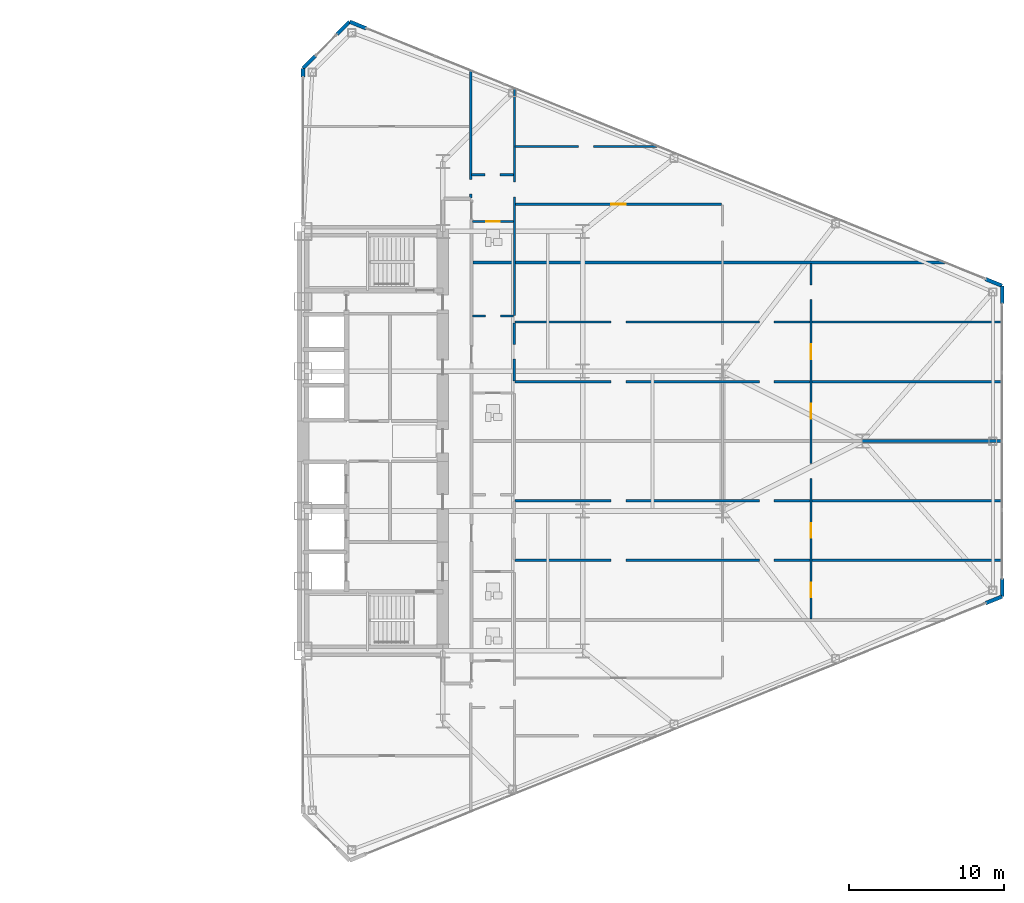
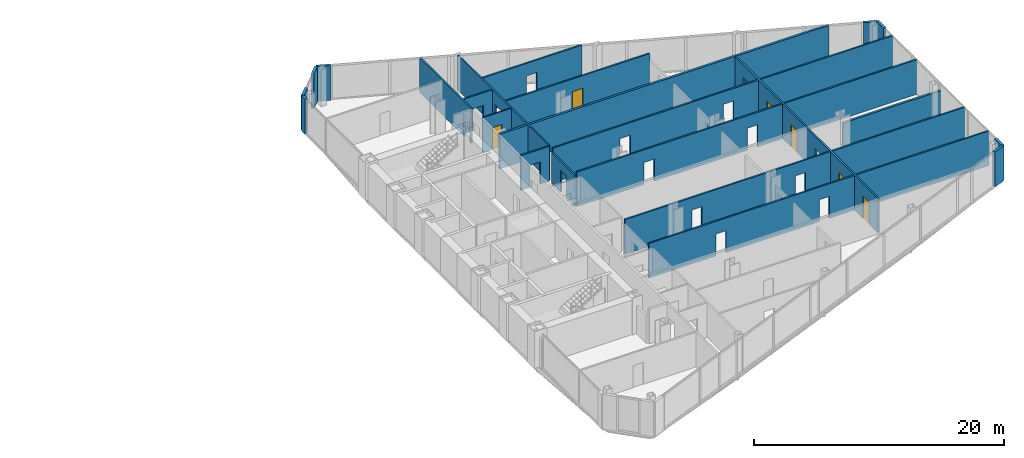
# One storey, part 22 of 25: 23 walls, 6 doors, 22 openings.
"""IFC4 building model written with IfcOpenShell, lengths in metres."""

from ifc_helpers import new_model, si_unit, direction, frame, frame_2d, origin, place, context, subcontext, project, spatial, rectangle, extrude, source, transform, mapped, material, layer, layer_set, type_object, type_shapes, element, fill, save


model = new_model("IFC4")

# Units and contexts
model_context = context("Model", 3, precision=1e-05, world=origin(), true_north=direction((0.0, 1.0)))
body_context = subcontext(model_context, "Body", "Model", "MODEL_VIEW")
ifc_project = project(units=[si_unit("LENGTHUNIT", "METRE"), si_unit("AREAUNIT", "SQUARE_METRE"), si_unit("VOLUMEUNIT", "CUBIC_METRE"), si_unit("PLANEANGLEUNIT", "RADIAN"), si_unit("MASSUNIT", "GRAM", prefix="KILO")], contexts=[model_context])

# Site, building, storey
site_placement = place(None, origin())
site = spatial("IfcSite", under=ifc_project, at=site_placement, CompositionType="ELEMENT")
building_placement = place(site_placement, origin())
building = spatial("IfcBuilding", under=site, at=building_placement, Name="Seokmaru Belvedere", CompositionType="ELEMENT")
storey_placement = place(building_placement, frame((0.0, 0.0, 40.5)))
storey = spatial("IfcBuildingStorey", under=building, at=storey_placement, Name="L10", CompositionType="ELEMENT", Elevation=40.5)

# Wall, openings
ifc_material_1 = material(Name="Fire-Rated Gypsum Shaftwall")
ifc_layer_1 = layer(ifc_material_1, 0.14990234375)
ifc_layer_set_1 = layer_set([ifc_layer_1], Name="Fire-Rated Gypsum Shaftwall")
wall_type_1 = type_object("IfcWallType", Name="Apartment Fire-Acoustic Room Partition 150", PredefinedType="PARTITIONING", material=ifc_layer_set_1)
wall_1_placement = place(storey_placement, frame((41.14990234375, -7.669921875, 0.0), z_axis=(0.0, 0.0, 1.0), x_axis=(1.0, 0.0, 0.0)))
wall_1 = element("IfcWall", 1, at=wall_1_placement, inside=storey, type_object=wall_type_1, Name="L10 Interior Partition 017", PredefinedType="PARTITIONING", context=body_context, shape_type="SweptSolid", body=[
    extrude(rectangle(XDim=31.385009765625, YDim=0.14990234375, at=frame_2d((15.6923828125, 0.0))), origin(), (0.0, 0.0, 1.0), 3.3798828125),
])
opening_1_placement = place(wall_1_placement, frame((6.175048828125, 0.0, 0.0)))
element("IfcOpeningElement", 2, at=opening_1_placement, cuts=wall_1, Name="L10 Cased Opening 054", PredefinedType="OPENING", context=body_context, shape_type="SweptSolid", body=[
    extrude(rectangle(XDim=0.949951171875, YDim=2.14990234375, at=frame_2d((0.47509765625, 1.074951171875))), frame((0.0, 0.0849609375, 0.0), z_axis=(0.0, -1.0, 0.0), x_axis=(1.0, 0.0, 0.0)), (0.0, 0.0, 1.0), 0.169921875),
])
opening_2_placement = place(wall_1_placement, frame((15.72509765625, 0.0, 0.0)))
element("IfcOpeningElement", 3, at=opening_2_placement, cuts=wall_1, Name="L10 Cased Opening 056", PredefinedType="OPENING", context=body_context, shape_type="SweptSolid", body=[
    extrude(rectangle(XDim=0.949951171875, YDim=2.14990234375, at=frame_2d((0.47509765625, 1.074951171875))), frame((0.0, 0.0849609375, 0.0), z_axis=(0.0, -1.0, 0.0), x_axis=(1.0, 0.0, 0.0)), (0.0, 0.0, 1.0), 0.169921875),
])

wall_2_placement = place(storey_placement, frame((41.14990234375, -3.830078125, 0.0), z_axis=(0.0, 0.0, 1.0), x_axis=(1.0, 0.0, 0.0)))
wall_2 = element("IfcWall", 4, at=wall_2_placement, inside=storey, type_object=wall_type_1, Name="L10 Interior Partition 020", PredefinedType="PARTITIONING", context=body_context, shape_type="SweptSolid", body=[
    extrude(rectangle(XDim=31.385009765625, YDim=0.14990234375, at=frame_2d((15.6923828125, 0.0))), origin(), (0.0, 0.0, 1.0), 3.3798828125),
])
opening_3_placement = place(wall_2_placement, frame((6.175048828125, 0.0, 0.0)))
element("IfcOpeningElement", 5, at=opening_3_placement, cuts=wall_2, Name="L10 Cased Opening 055", PredefinedType="OPENING", context=body_context, shape_type="SweptSolid", body=[
    extrude(rectangle(XDim=0.949951171875, YDim=2.14990234375, at=frame_2d((0.47509765625, 1.074951171875))), frame((0.0, 0.0849609375, 0.0), z_axis=(0.0, -1.0, 0.0), x_axis=(1.0, 0.0, 0.0)), (0.0, 0.0, 1.0), 0.169921875),
])
opening_4_placement = place(wall_2_placement, frame((15.72509765625, 0.0, 0.0)))
element("IfcOpeningElement", 6, at=opening_4_placement, cuts=wall_2, Name="L10 Cased Opening 059", PredefinedType="OPENING", context=body_context, shape_type="SweptSolid", body=[
    extrude(rectangle(XDim=0.949951171875, YDim=2.14990234375, at=frame_2d((0.47509765625, 1.074951171875))), frame((0.0, 0.0849609375, 0.0), z_axis=(0.0, -1.0, 0.0), x_axis=(1.0, 0.0, 0.0)), (0.0, 0.0, 1.0), 0.169921875),
])

wall_3_placement = place(storey_placement, frame((41.14990234375, 3.830078125, 0.0), z_axis=(0.0, 0.0, 1.0), x_axis=(1.0, 0.0, 0.0)))
wall_3 = element("IfcWall", 7, at=wall_3_placement, inside=storey, type_object=wall_type_1, Name="L10 Interior Partition 027", PredefinedType="PARTITIONING", context=body_context, shape_type="SweptSolid", body=[
    extrude(rectangle(XDim=31.385009765625, YDim=0.14990234375, at=frame_2d((15.6923828125, 0.0))), origin(), (0.0, 0.0, 1.0), 3.3798828125),
])
opening_5_placement = place(wall_3_placement, frame((6.175048828125, 0.0, 0.0)))
element("IfcOpeningElement", 8, at=opening_5_placement, cuts=wall_3, Name="L10 Cased Opening 066", PredefinedType="OPENING", context=body_context, shape_type="SweptSolid", body=[
    extrude(rectangle(XDim=0.949951171875, YDim=2.14990234375, at=frame_2d((0.47509765625, 1.074951171875))), frame((0.0, 0.0849609375, 0.0), z_axis=(0.0, -1.0, 0.0), x_axis=(1.0, 0.0, 0.0)), (0.0, 0.0, 1.0), 0.169921875),
])
opening_6_placement = place(wall_3_placement, frame((15.72509765625, 0.0, 0.0)))
element("IfcOpeningElement", 9, at=opening_6_placement, cuts=wall_3, Name="L10 Cased Opening 068", PredefinedType="OPENING", context=body_context, shape_type="SweptSolid", body=[
    extrude(rectangle(XDim=0.949951171875, YDim=2.14990234375, at=frame_2d((0.47509765625, 1.074951171875))), frame((0.0, 0.0849609375, 0.0), z_axis=(0.0, -1.0, 0.0), x_axis=(1.0, 0.0, 0.0)), (0.0, 0.0, 1.0), 0.169921875),
])

wall_4_placement = place(storey_placement, frame((41.14990234375, 7.669921875, 0.0), z_axis=(0.0, 0.0, 1.0), x_axis=(1.0, 0.0, 0.0)))
wall_4 = element("IfcWall", 10, at=wall_4_placement, inside=storey, type_object=wall_type_1, Name="L10 Interior Partition 030", PredefinedType="PARTITIONING", context=body_context, shape_type="SweptSolid", body=[
    extrude(rectangle(XDim=31.385009765625, YDim=0.14990234375, at=frame_2d((15.6923828125, 0.0))), origin(), (0.0, 0.0, 1.0), 3.3798828125),
])
opening_7_placement = place(wall_4_placement, frame((6.175048828125, 0.0, 0.0)))
element("IfcOpeningElement", 11, at=opening_7_placement, cuts=wall_4, Name="L10 Cased Opening 067", PredefinedType="OPENING", context=body_context, shape_type="SweptSolid", body=[
    extrude(rectangle(XDim=0.949951171875, YDim=2.14990234375, at=frame_2d((0.47509765625, 1.074951171875))), frame((0.0, 0.0849609375, 0.0), z_axis=(0.0, -1.0, 0.0), x_axis=(1.0, 0.0, 0.0)), (0.0, 0.0, 1.0), 0.169921875),
])
opening_8_placement = place(wall_4_placement, frame((15.72509765625, 0.0, 0.0)))
element("IfcOpeningElement", 12, at=opening_8_placement, cuts=wall_4, Name="L10 Cased Opening 071", PredefinedType="OPENING", context=body_context, shape_type="SweptSolid", body=[
    extrude(rectangle(XDim=0.949951171875, YDim=2.14990234375, at=frame_2d((0.47509765625, 1.074951171875))), frame((0.0, 0.0849609375, 0.0), z_axis=(0.0, -1.0, 0.0), x_axis=(1.0, 0.0, 0.0)), (0.0, 0.0, 1.0), 0.169921875),
])

# Wall, opening
wall_5_placement = place(storey_placement, frame((38.39990234375, 8.050048828125, 0.0), z_axis=(0.0, 0.0, 1.0), x_axis=(1.0, 0.0, 0.0)))
wall_5 = element("IfcWall", 13, at=wall_5_placement, inside=storey, type_object=wall_type_1, Name="L10 Interior Partition 031", PredefinedType="PARTITIONING", context=body_context, shape_type="SweptSolid", body=[
    extrude(rectangle(XDim=2.650146484375, YDim=0.14990234375, at=frame_2d((1.3251953125, 0.0))), origin(), (0.0, 0.0, 1.0), 3.3798828125),
])
opening_9_placement = place(wall_5_placement, frame((0.85009765625, 0.0, 0.0)))
element("IfcOpeningElement", 14, at=opening_9_placement, cuts=wall_5, Name="L10 Cased Opening 063", PredefinedType="OPENING", context=body_context, shape_type="SweptSolid", body=[
    extrude(rectangle(XDim=0.949951171875, YDim=2.14990234375, at=frame_2d((0.47509765625, 1.074951171875))), frame((0.0, 0.0849609375, 0.0), z_axis=(0.0, -1.0, 0.0), x_axis=(1.0, 0.0, 0.0)), (0.0, 0.0, 1.0), 0.169921875),
])

# Wall, opening, door
wall_6_placement = place(storey_placement, frame((41.14990234375, 15.239990234375, 0.0), z_axis=(0.0, 0.0, 1.0), x_axis=(1.0, 0.0, 0.0)))
wall_6 = element("IfcWall", 15, at=wall_6_placement, inside=storey, type_object=wall_type_1, Name="L10 Interior Partition 036", PredefinedType="PARTITIONING", context=body_context, shape_type="SweptSolid", body=[
    extrude(rectangle(XDim=13.300048828125, YDim=0.14990234375, at=frame_2d((6.64990234375, 0.0))), origin(), (0.0, 0.0, 1.0), 3.3798828125),
])
opening_10_placement = place(wall_6_placement, frame((6.175048828125, 0.0, 0.0)))
opening_10 = element("IfcOpeningElement", 16, at=opening_10_placement, cuts=wall_6, Name="Opening D05", PredefinedType="OPENING", context=body_context, shape_type="SweptSolid", body=[
    extrude(rectangle(XDim=0.949951171875, YDim=2.14990234375, at=frame_2d((0.47509765625, 1.074951171875))), frame((0.0, 0.0849609375, 0.0), z_axis=(0.0, -1.0, 0.0), x_axis=(1.0, 0.0, 0.0)), (0.0, 0.0, 1.0), 0.169921875),
])
ifc_material_2 = material(Name="Engineered White Oak Timber", Category="wood")
door_type_1 = type_object("IfcDoorType", Name="Apartment Interior Fire-Rated Oak Door 950x2150", OperationType="NOTDEFINED", PredefinedType="DOOR", material=ifc_material_2)
shared_shape_1 = source(origin(), body_context, "Body", "SweptSolid", [
    extrude(rectangle(XDim=0.949951171875, YDim=2.14990234375, at=frame_2d((0.47509765625, 1.074951171875))), frame((0.0, 0.02490234375, 0.0), z_axis=(0.0, -1.0, 0.0), x_axis=(1.0, 0.0, 0.0)), (0.0, 0.0, 1.0), 0.050048828125),
])
type_shapes(door_type_1, [shared_shape_1])
door_1_placement = place(opening_10_placement, origin())
door_1 = element("IfcDoor", 17, at=door_1_placement, inside=storey, type_object=door_type_1, Name="L10 Interior Door 078", OperationType="SINGLE_SWING_RIGHT", OverallHeight=2.14990234375, OverallWidth=0.949951171875, PredefinedType="DOOR", context=body_context, shape_type="MappedRepresentation", body=[
    mapped(shared_shape_1, transform((0.0, 0.0, 0.0), scale=1.0)),
])
fill(opening_10, door_1)

# Wall, opening
wall_7_placement = place(storey_placement, frame((38.35009765625, 17.139892578125, 0.0), z_axis=(0.0, 0.0, 1.0), x_axis=(1.0, 0.0, 0.0)))
wall_7 = element("IfcWall", 18, at=wall_7_placement, inside=storey, type_object=wall_type_1, Name="L10 Interior Partition 041", PredefinedType="PARTITIONING", context=body_context, shape_type="SweptSolid", body=[
    extrude(rectangle(XDim=2.699951171875, YDim=0.14990234375, at=frame_2d((1.35009765625, 0.0))), origin(), (0.0, 0.0, 1.0), 3.3798828125),
])
opening_11_placement = place(wall_7_placement, frame((0.875, 0.0, 0.0)))
element("IfcOpeningElement", 19, at=opening_11_placement, cuts=wall_7, Name="L10 Cased Opening 075", PredefinedType="OPENING", context=body_context, shape_type="SweptSolid", body=[
    extrude(rectangle(XDim=0.949951171875, YDim=2.14990234375, at=frame_2d((0.47509765625, 1.074951171875))), frame((0.0, 0.0849609375, 0.0), z_axis=(0.0, -1.0, 0.0), x_axis=(1.0, 0.0, 0.0)), (0.0, 0.0, 1.0), 0.169921875),
])

wall_8_placement = place(storey_placement, frame((41.14990234375, 18.969970703125, 0.0), z_axis=(0.0, 0.0, 1.0), x_axis=(1.0, 0.0, 0.0)))
wall_8 = element("IfcWall", 20, at=wall_8_placement, inside=storey, type_object=wall_type_1, Name="L10 Interior Partition 042", PredefinedType="PARTITIONING", context=body_context, shape_type="SweptSolid", body=[
    extrude(rectangle(XDim=9.216064453125, YDim=0.14990234375, at=frame_2d((4.60791015625, 0.0))), origin(), (0.0, 0.0, 1.0), 3.3798828125),
])
opening_12_placement = place(wall_8_placement, frame((4.0908203125, 0.0, 0.0)))
element("IfcOpeningElement", 21, at=opening_12_placement, cuts=wall_8, Name="L10 Cased Opening 079", PredefinedType="OPENING", context=body_context, shape_type="SweptSolid", body=[
    extrude(rectangle(XDim=0.949951171875, YDim=2.14990234375, at=frame_2d((0.47509765625, 1.074951171875))), frame((0.0, 0.0849609375, 0.0), z_axis=(0.0, -1.0, 0.0), x_axis=(1.0, 0.0, 0.0)), (0.0, 0.0, 1.0), 0.169921875),
])

wall_9_placement = place(storey_placement, frame((38.300048828125, 15.64990234375, 0.0), z_axis=(0.0, 0.0, 1.0), x_axis=(0.0, 1.0, 0.0)))
wall_9 = element("IfcWall", 22, at=wall_9_placement, inside=storey, type_object=wall_type_1, Name="L10 Interior Partition 060", PredefinedType="PARTITIONING", context=body_context, shape_type="SweptSolid", body=[
    extrude(rectangle(XDim=8.22802734375, YDim=0.14990234375, at=frame_2d((4.114013671875, 0.0))), origin(), (0.0, 0.0, 1.0), 3.3798828125),
])
opening_13_placement = place(wall_9_placement, frame((0.24755859375, 0.0, 0.0)))
element("IfcOpeningElement", 23, at=opening_13_placement, cuts=wall_9, Name="L10 Cased Opening 077", PredefinedType="OPENING", context=body_context, shape_type="SweptSolid", body=[
    extrude(rectangle(XDim=0.949951171875, YDim=2.14990234375, at=frame_2d((0.47509765625, 1.074951171875))), frame((0.0, 0.0849609375, 0.0), z_axis=(0.0, -1.0, 0.0), x_axis=(1.0, 0.0, 0.0)), (0.0, 0.0, 1.0), 0.169921875),
])

wall_10_placement = place(storey_placement, frame((41.10009765625, 3.883056640625, 0.0), z_axis=(0.0, 0.0, 1.0), x_axis=(0.0, 1.0, 0.0)))
wall_10 = element("IfcWall", 24, at=wall_10_placement, inside=storey, type_object=wall_type_1, Name="L10 Interior Partition 065", PredefinedType="PARTITIONING", context=body_context, shape_type="SweptSolid", body=[
    extrude(rectangle(XDim=3.73388671875, YDim=0.14990234375, at=frame_2d((1.866943359375, 0.0))), origin(), (0.0, 0.0, 1.0), 2.989990234375),
])
opening_14_placement = place(wall_10_placement, frame((1.39208984375, 0.0, 0.0)))
element("IfcOpeningElement", 25, at=opening_14_placement, cuts=wall_10, Name="L10 Cased Opening 064", PredefinedType="OPENING", context=body_context, shape_type="SweptSolid", body=[
    extrude(rectangle(XDim=0.949951171875, YDim=2.14990234375, at=frame_2d((0.47509765625, 1.074951171875))), frame((0.0, 0.0849609375, 0.0), z_axis=(0.0, -1.0, 0.0), x_axis=(1.0, 0.0, 0.0)), (0.0, 0.0, 1.0), 0.169921875),
])

# Wall, openings, doors
wall_11_placement = place(storey_placement, frame((60.199951171875, -11.449951171875, 0.0), z_axis=(0.0, 0.0, 1.0), x_axis=(0.0, 1.0, 0.0)))
wall_11 = element("IfcWall", 26, at=wall_11_placement, inside=storey, type_object=wall_type_1, Name="L10 Interior Partition 068", PredefinedType="PARTITIONING", context=body_context, shape_type="SweptSolid", body=[
    extrude(rectangle(XDim=22.89990234375, YDim=0.14990234375, at=frame_2d((11.449951171875, 0.0))), origin(), (0.0, 0.0, 1.0), 3.3798828125),
])
opening_15_placement = place(wall_11_placement, frame((1.3916015625, 0.0, 0.0)))
opening_15 = element("IfcOpeningElement", 27, at=opening_15_placement, cuts=wall_11, Name="Opening D05", PredefinedType="OPENING", context=body_context, shape_type="SweptSolid", body=[
    extrude(rectangle(XDim=0.949951171875, YDim=2.14990234375, at=frame_2d((0.47509765625, 1.074951171875))), frame((0.0, 0.0849609375, 0.0), z_axis=(0.0, -1.0, 0.0), x_axis=(1.0, 0.0, 0.0)), (0.0, 0.0, 1.0), 0.169921875),
])
opening_16_placement = place(wall_11_placement, frame((5.22509765625, 0.0, 0.0)))
opening_16 = element("IfcOpeningElement", 28, at=opening_16_placement, cuts=wall_11, Name="Opening D05", PredefinedType="OPENING", context=body_context, shape_type="SweptSolid", body=[
    extrude(rectangle(XDim=0.949951171875, YDim=2.14990234375, at=frame_2d((0.47509765625, 1.074951171875))), frame((0.0, 0.0849609375, 0.0), z_axis=(0.0, -1.0, 0.0), x_axis=(1.0, 0.0, 0.0)), (0.0, 0.0, 1.0), 0.169921875),
])
opening_17_placement = place(wall_11_placement, frame((9.058349609375, 0.0, 0.0)))
element("IfcOpeningElement", 29, at=opening_17_placement, cuts=wall_11, Name="L10 Cased Opening 060", PredefinedType="OPENING", context=body_context, shape_type="SweptSolid", body=[
    extrude(rectangle(XDim=0.949951171875, YDim=2.14990234375, at=frame_2d((0.47509765625, 1.074951171875))), frame((0.0, 0.0849609375, 0.0), z_axis=(0.0, -1.0, 0.0), x_axis=(1.0, 0.0, 0.0)), (0.0, 0.0, 1.0), 0.169921875),
])
opening_18_placement = place(wall_11_placement, frame((12.8916015625, 0.0, 0.0)))
opening_18 = element("IfcOpeningElement", 30, at=opening_18_placement, cuts=wall_11, Name="Opening D05", PredefinedType="OPENING", context=body_context, shape_type="SweptSolid", body=[
    extrude(rectangle(XDim=0.949951171875, YDim=2.14990234375, at=frame_2d((0.47509765625, 1.074951171875))), frame((0.0, 0.0849609375, 0.0), z_axis=(0.0, -1.0, 0.0), x_axis=(1.0, 0.0, 0.0)), (0.0, 0.0, 1.0), 0.169921875),
])
opening_19_placement = place(wall_11_placement, frame((16.72509765625, 0.0, 0.0)))
opening_19 = element("IfcOpeningElement", 31, at=opening_19_placement, cuts=wall_11, Name="Opening D05", PredefinedType="OPENING", context=body_context, shape_type="SweptSolid", body=[
    extrude(rectangle(XDim=0.949951171875, YDim=2.14990234375, at=frame_2d((0.47509765625, 1.074951171875))), frame((0.0, 0.0849609375, 0.0), z_axis=(0.0, -1.0, 0.0), x_axis=(1.0, 0.0, 0.0)), (0.0, 0.0, 1.0), 0.169921875),
])
opening_20_placement = place(wall_11_placement, frame((20.558349609375, 0.0, 0.0)))
element("IfcOpeningElement", 32, at=opening_20_placement, cuts=wall_11, Name="L10 Cased Opening 072", PredefinedType="OPENING", context=body_context, shape_type="SweptSolid", body=[
    extrude(rectangle(XDim=0.949951171875, YDim=2.14990234375, at=frame_2d((0.47509765625, 1.074951171875))), frame((0.0, 0.0849609375, 0.0), z_axis=(0.0, -1.0, 0.0), x_axis=(1.0, 0.0, 0.0)), (0.0, 0.0, 1.0), 0.169921875),
])
door_2_placement = place(opening_15_placement, origin())
door_2 = element("IfcDoor", 33, at=door_2_placement, inside=storey, type_object=door_type_1, Name="L10 Interior Door 057", OperationType="SINGLE_SWING_LEFT", OverallHeight=2.14990234375, OverallWidth=0.949951171875, PredefinedType="DOOR", context=body_context, shape_type="MappedRepresentation", body=[
    mapped(shared_shape_1, transform((0.0, 0.0, 0.0), scale=1.0)),
])
fill(opening_15, door_2)
door_3_placement = place(opening_16_placement, origin())
door_3 = element("IfcDoor", 34, at=door_3_placement, inside=storey, type_object=door_type_1, Name="L10 Interior Door 058", OperationType="SINGLE_SWING_LEFT", OverallHeight=2.14990234375, OverallWidth=0.949951171875, PredefinedType="DOOR", context=body_context, shape_type="MappedRepresentation", body=[
    mapped(shared_shape_1, transform((0.0, 0.0, 0.0), scale=1.0)),
])
fill(opening_16, door_3)
door_4_placement = place(opening_18_placement, origin())
door_4 = element("IfcDoor", 35, at=door_4_placement, inside=storey, type_object=door_type_1, Name="L10 Interior Door 069", OperationType="SINGLE_SWING_LEFT", OverallHeight=2.14990234375, OverallWidth=0.949951171875, PredefinedType="DOOR", context=body_context, shape_type="MappedRepresentation", body=[
    mapped(shared_shape_1, transform((0.0, 0.0, 0.0), scale=1.0)),
])
fill(opening_18, door_4)
door_5_placement = place(opening_19_placement, origin())
door_5 = element("IfcDoor", 36, at=door_5_placement, inside=storey, type_object=door_type_1, Name="L10 Interior Door 070", OperationType="SINGLE_SWING_LEFT", OverallHeight=2.14990234375, OverallWidth=0.949951171875, PredefinedType="DOOR", context=body_context, shape_type="MappedRepresentation", body=[
    mapped(shared_shape_1, transform((0.0, 0.0, 0.0), scale=1.0)),
])
fill(opening_19, door_5)

# Walls
ifc_layer_2 = layer(ifc_material_1, 0.199951171875)
ifc_layer_set_2 = layer_set([ifc_layer_2], Name="Fire-Rated Gypsum Shaftwall")
wall_type_2 = type_object("IfcWallType", Name="Inter-Tenancy Fire Compartment Partition 200", PredefinedType="PARTITIONING", material=ifc_layer_set_2)
wall_12_placement = place(storey_placement, frame((63.47998046875, 0.0, 0.0), z_axis=(0.0, 0.0, 1.0), x_axis=(1.0, 0.0, 0.0)))
element("IfcWall", 37, at=wall_12_placement, inside=storey, type_object=wall_type_2, Name="L10 Interior Partition 023 Part 2", PredefinedType="PARTITIONING", context=body_context, shape_type="SweptSolid", body=[
    extrude(rectangle(XDim=9.02490234375, YDim=0.199951171875, at=frame_2d((4.512451171875, 0.0))), origin(), (0.0, 0.0, 1.0), 2.679931640625),
])
wall_13_placement = place(storey_placement, frame((38.429931640625, 11.5, 0.0), z_axis=(0.0, 0.0, 1.0), x_axis=(1.0, 0.0, 0.0)))
element("IfcWall", 38, at=wall_13_placement, inside=storey, type_object=wall_type_2, Name="L10 Interior Partition 033", PredefinedType="PARTITIONING", context=body_context, shape_type="SweptSolid", body=[
    extrude(rectangle(XDim=30.376953125, YDim=0.199951171875, at=frame_2d((15.1884765625, 0.0))), origin(), (0.0, 0.0, 1.0), 3.3798828125),
])

# Wall, opening, door
ifc_layer_3 = layer(ifc_material_1, 0.1298828125)
ifc_layer_set_3 = layer_set([ifc_layer_3], Name="Fire-Rated Gypsum Shaftwall")
wall_type_3 = type_object("IfcWallType", Name="Moisture-Resistant Fire-Rated Bathroom Partition 130", PredefinedType="PARTITIONING", material=ifc_layer_set_3)
wall_14_placement = place(storey_placement, frame((38.39990234375, 14.139892578125, 0.0), z_axis=(0.0, 0.0, 1.0), x_axis=(1.0, 0.0, 0.0)))
wall_14 = element("IfcWall", 39, at=wall_14_placement, inside=storey, type_object=wall_type_3, Name="L10 Interior Partition 035", PredefinedType="PARTITIONING", context=body_context, shape_type="SweptSolid", body=[
    extrude(rectangle(XDim=2.650146484375, YDim=0.1298828125, at=frame_2d((1.3251953125, 0.0))), origin(), (0.0, 0.0, 1.0), 3.3798828125),
])
opening_21_placement = place(wall_14_placement, frame((0.885009765625, 0.0, 0.0)))
opening_21 = element("IfcOpeningElement", 40, at=opening_21_placement, cuts=wall_14, Name="Opening D06", PredefinedType="OPENING", context=body_context, shape_type="SweptSolid", body=[
    extrude(rectangle(XDim=0.8798828125, YDim=2.10009765625, at=frame_2d((0.43994140625, 1.050048828125))), frame((0.0, 0.074951171875, 0.0), z_axis=(0.0, -1.0, 0.0), x_axis=(1.0, 0.0, 0.0)), (0.0, 0.0, 1.0), 0.14990234375),
])
door_type_2 = type_object("IfcDoorType", Name="Bathroom and Restroom Fire-Rated Door 880x2100", OperationType="NOTDEFINED", PredefinedType="DOOR", material=ifc_material_2)
shared_shape_2 = source(origin(), body_context, "Body", "SweptSolid", [
    extrude(rectangle(XDim=0.8798828125, YDim=2.10009765625, at=frame_2d((0.43994140625, 1.050048828125))), frame((0.0, 0.02490234375, 0.0), z_axis=(0.0, -1.0, 0.0), x_axis=(1.0, 0.0, 0.0)), (0.0, 0.0, 1.0), 0.050048828125),
])
type_shapes(door_type_2, [shared_shape_2])
door_6_placement = place(opening_21_placement, origin())
door_6 = element("IfcDoor", 41, at=door_6_placement, inside=storey, type_object=door_type_2, Name="L10 Interior Door 074", OperationType="SINGLE_SWING_RIGHT", OverallHeight=2.10009765625, OverallWidth=0.8798828125, PredefinedType="DOOR", context=body_context, shape_type="MappedRepresentation", body=[
    mapped(shared_shape_2, transform((0.0, 0.0, 0.0), scale=1.0)),
])
fill(opening_21, door_6)

# Wall, opening
wall_15_placement = place(storey_placement, frame((41.10009765625, 8.10205078125, 0.0), z_axis=(0.0, 0.0, 1.0), x_axis=(0.0, 1.0, 0.0)))
wall_15 = element("IfcWall", 42, at=wall_15_placement, inside=storey, type_object=wall_type_3, Name="L10 Interior Partition 066", PredefinedType="PARTITIONING", context=body_context, shape_type="SweptSolid", body=[
    extrude(rectangle(XDim=14.641845703125, YDim=0.1298828125, at=frame_2d((7.32080078125, 0.0))), origin(), (0.0, 0.0, 1.0), 3.3798828125),
])
opening_22_placement = place(wall_15_placement, frame((7.61376953125, 0.0, 0.0)))
element("IfcOpeningElement", 43, at=opening_22_placement, cuts=wall_15, Name="L10 Cased Opening 076", PredefinedType="OPENING", context=body_context, shape_type="SweptSolid", body=[
    extrude(rectangle(XDim=0.949951171875, YDim=2.14990234375, at=frame_2d((0.47509765625, 1.074951171875))), frame((0.0, 0.074951171875, 0.0), z_axis=(0.0, -1.0, 0.0), x_axis=(1.0, 0.0, 0.0)), (0.0, 0.0, 1.0), 0.14990234375),
])

# Walls
ifc_material_3 = material(Name="Anodised Bronze Aluminium", Category="aluminium")
ifc_layer_4 = layer(ifc_material_3, 0.239990234375)
ifc_layer_set_4 = layer_set([ifc_layer_4], Name="Anodised Bronze Aluminium")
wall_type_4 = type_object("IfcWallType", Name="Tower Corner Spandrel Closure Wall 240", PredefinedType="SOLIDWALL", material=ifc_layer_set_4)
for number, where, z_axis, x_axis, name in (
    (44, (71.43408203125, -10.431396484375, 0.0), (0.0, 0.0, 1.0), (0.927007103665, 0.375043770452, 0.0), "L10 E Corner Closure Pier 1B"),
    (45, (72.5, -9.989990234375, 0.0), (0.0, 0.0, 1.0), (0.0, 1.0, 0.0), "L10 E Corner Closure Pier 2A"),
    (46, (72.5, 8.85009765625, 0.0), (0.0, 0.0, 1.0), (0.0, 1.0, 0.0), "L10 E Corner Closure Pier 2B"),
    (47, (72.49072265625, 10.00390625, 0.0), (0.0, 0.0, 1.0), (-0.927007103665, 0.375043770452, 0.0), "L10 E Corner Closure Pier 3A"),
    (48, (31.56591796875, 26.568603515625, 0.0), (0.0, 0.0, 1.0), (-0.927007103665, 0.375043770452, 0.0), "L10 E Corner Closure Pier 3B"),
):
    element("IfcWall", number, at=place(storey_placement, frame(where, z_axis=z_axis, x_axis=x_axis)), inside=storey, type_object=wall_type_4, Name=name, PredefinedType="SOLIDWALL", context=body_context, shape_type="SweptSolid", body=[
        extrude(rectangle(XDim=1.139892578125, YDim=0.239990234375, at=frame_2d((0.56982421875, 0.0))), origin(), (0.0, 0.0, 1.0), 3.3798828125),
    ])
for number, where, z_axis, x_axis, name in (
    (49, (30.492919921875, 26.992919921875, 0.0), (0.0, 0.0, 1.0), (-0.707106781187, -0.707106781187, 0.0), "L10 E Corner Closure Pier 4A"),
    (50, (28.313232421875, 24.813232421875, 0.0), (0.0, 0.0, 1.0), (-0.707106781187, -0.707106781187, 0.0), "L10 E Corner Closure Pier 4B"),
):
    element("IfcWall", number, at=place(storey_placement, frame(where, z_axis=z_axis, x_axis=x_axis)), inside=storey, type_object=wall_type_4, Name=name, PredefinedType="SOLIDWALL", context=body_context, shape_type="SweptSolid", body=[
        extrude(rectangle(XDim=1.14013671875, YDim=0.239990234375, at=frame_2d((0.570068359375, 0.0))), origin(), (0.0, 0.0, 1.0), 3.3798828125),
    ])
wall_16_placement = place(storey_placement, frame((27.5, 23.429931640625, 0.0), z_axis=(0.0, 0.0, 1.0), x_axis=(0.0, 1.0, 0.0)))
element("IfcWall", 51, at=wall_16_placement, inside=storey, type_object=wall_type_4, Name="L10 E Spine Closure Pier 2B", PredefinedType="SOLIDWALL", context=body_context, shape_type="SweptSolid", body=[
    extrude(rectangle(XDim=0.550048828125, YDim=0.239990234375, at=frame_2d((0.27490234375, 0.0))), origin(), (0.0, 0.0, 1.0), 3.3798828125),
])

save(model, "model.ifc")
